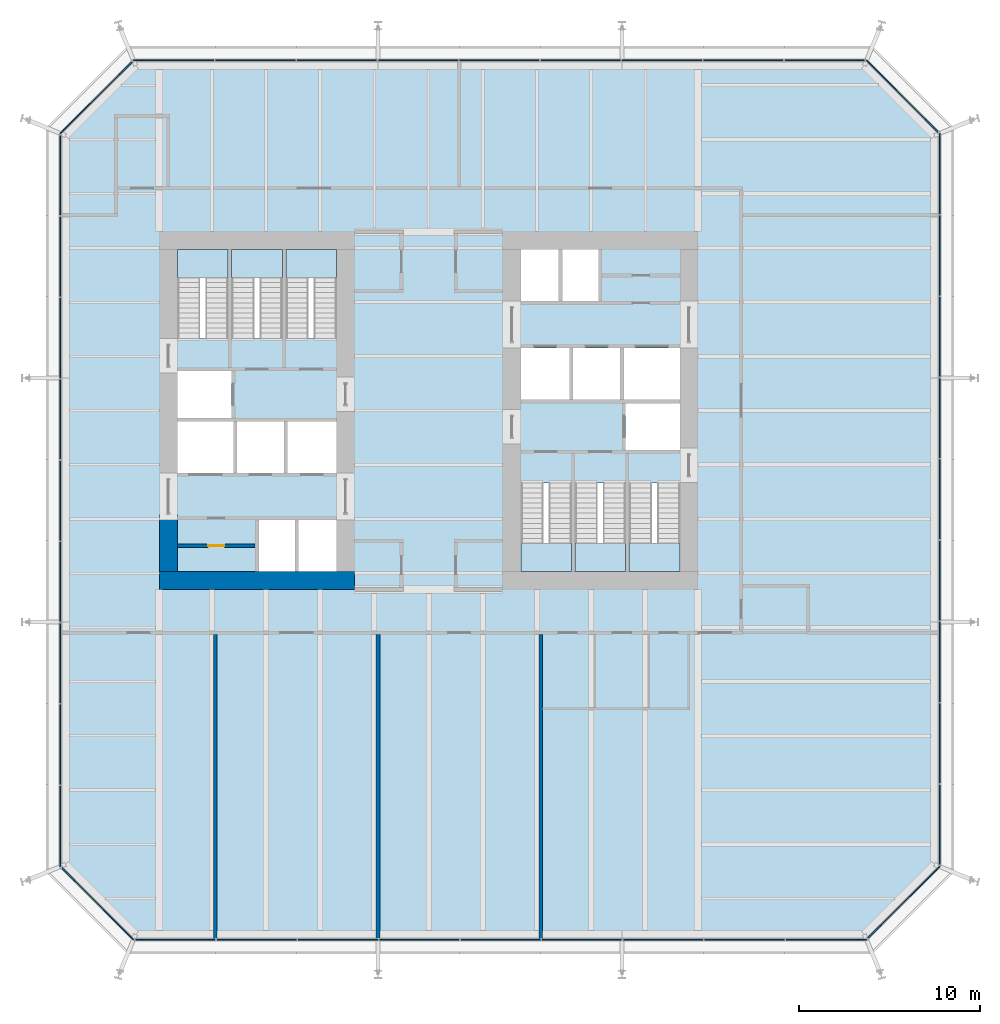
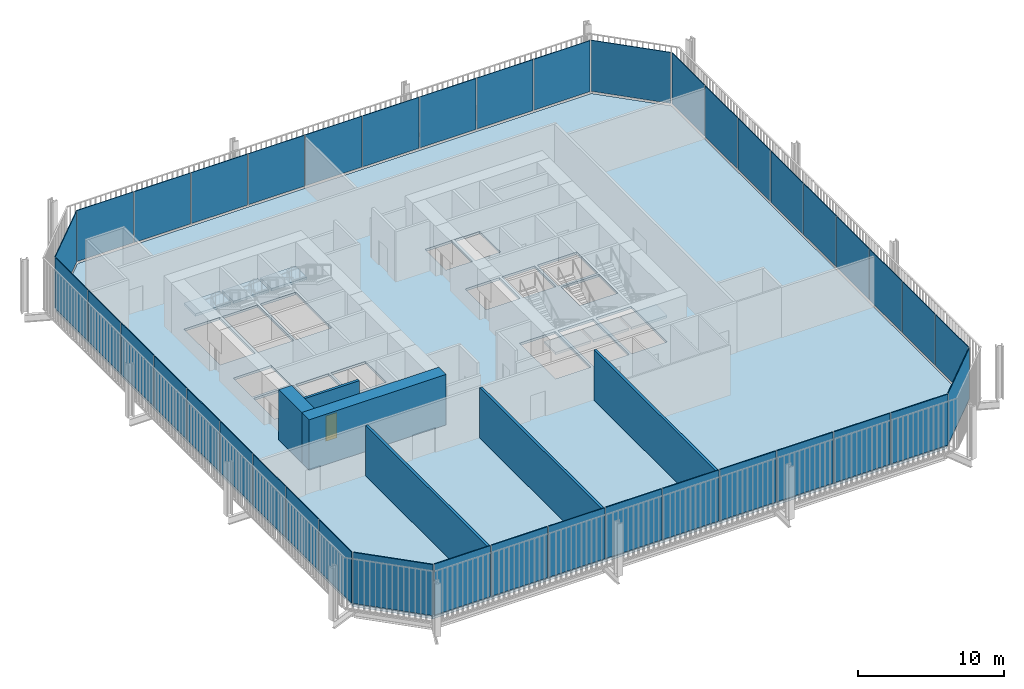
# One storey, part 15 of 20: 40 plates, 7 slabs, 6 walls, 1 door, 1 opening, 14 elements without a shape of their own.
"""IFC4 building model written with IfcOpenShell, lengths in metres."""

from ifc_helpers import new_model, si_unit, direction, frame, frame_2d, origin, place, context, subcontext, project, spatial, polyline, rectangle, outline, extrude, material, layer, layer_set, type_object, element, fill, aggregate, save


model = new_model("IFC4")

# Units and contexts
model_context = context("Model", 3, precision=1e-05, world=origin(), true_north=direction((0.0, 1.0)))
body_context = subcontext(model_context, "Body", "Model", "MODEL_VIEW")
ifc_project = project(units=[si_unit("LENGTHUNIT", "METRE"), si_unit("AREAUNIT", "SQUARE_METRE"), si_unit("VOLUMEUNIT", "CUBIC_METRE"), si_unit("PLANEANGLEUNIT", "RADIAN"), si_unit("MASSUNIT", "GRAM", prefix="KILO")], contexts=[model_context])

# Site, building, storey
site_placement = place(None, origin())
site = spatial("IfcSite", under=ifc_project, at=site_placement, CompositionType="ELEMENT")
building_placement = place(site_placement, origin())
building = spatial("IfcBuilding", under=site, at=building_placement, Name="Millrace Tower", CompositionType="ELEMENT")
storey_placement = place(building_placement, frame((0.0, 0.0, 99.60009765625)))
storey = spatial("IfcBuildingStorey", under=building, at=storey_placement, Name="L22", CompositionType="ELEMENT", Elevation=99.60009765625)

# Curtain wall, plate
ifc_material_1 = material(Name="Aluminium and glass", Category="aluminium")
ifc_layer_1 = layer(ifc_material_1, 0.14990234375)
ifc_layer_set_1 = layer_set([ifc_layer_1], Name="Aluminium and glass")
curtain_wall_type = type_object("IfcCurtainWallType", Name="CW-3 telecom floor curtain wall", PredefinedType="NOTDEFINED", material=ifc_layer_set_1)
placement_1 = place(storey_placement, origin())
curtain_wall_1 = element("IfcCurtainWall", 1, at=placement_1, inside=storey, type_object=curtain_wall_type, Name="Curtain wall B-F01 L22", PredefinedType="NOTDEFINED")
ifc_material_2 = material(Name="Glass", Category="glass")
ifc_layer_2 = layer(ifc_material_2, 0.06005859375)
ifc_layer_set_2 = layer_set([ifc_layer_2], Name="Glass")
plate_type = type_object("IfcPlateType", Name="CW-3 telecom floor curtain wall triple-glazed panel with spandrel", PredefinedType="CURTAIN_PANEL", material=ifc_layer_set_2)
placement_2 = place(storey_placement, frame((0.0, 0.0, 0.14990234375)))
plate_1 = element("IfcPlate", 2, at=placement_2, type_object=plate_type, Name="CW3 panel B-F01.1", PredefinedType="CURTAIN_PANEL", context=body_context, shape_type="SweptSolid", body=[
    extrude(outline(polyline([(-20.328369140625, -25.3203125), (-16.343505859375, -29.304931640625), (-16.318603515625, -29.2451171875), (-20.285888671875, -25.27783203125), (-20.328369140625, -25.3203125)])), origin(), (0.0, 0.0, 1.0), 4.25),
])
aggregate(curtain_wall_1, [plate_1])

# Curtain wall, plates
curtain_wall_2 = element("IfcCurtainWall", 3, at=placement_1, inside=storey, type_object=curtain_wall_type, Name="Curtain wall B-F02 L22", PredefinedType="NOTDEFINED")
plate_2 = element("IfcPlate", 4, at=placement_2, type_object=plate_type, Name="CW3 panel B-F02.1", PredefinedType="CURTAIN_PANEL", context=body_context, shape_type="SweptSolid", body=[
    extrude(outline(polyline([(-16.235107421875, -29.304931640625), (-11.800048828125, -29.304931640625), (-11.800048828125, -29.2451171875), (-16.235107421875, -29.2451171875), (-16.235107421875, -29.304931640625)])), origin(), (0.0, 0.0, 1.0), 4.25),
])
plate_3 = element("IfcPlate", 5, at=placement_2, type_object=plate_type, Name="CW3 panel B-F02.2", PredefinedType="CURTAIN_PANEL", context=body_context, shape_type="SweptSolid", body=[
    extrude(outline(polyline([(-11.735107421875, -29.304931640625), (-7.300048828125, -29.304931640625), (-7.300048828125, -29.2451171875), (-11.735107421875, -29.2451171875), (-11.735107421875, -29.304931640625)])), origin(), (0.0, 0.0, 1.0), 4.25),
])
plate_4 = element("IfcPlate", 6, at=placement_2, type_object=plate_type, Name="CW3 panel B-F02.3", PredefinedType="CURTAIN_PANEL", context=body_context, shape_type="SweptSolid", body=[
    extrude(outline(polyline([(-7.235107421875, -29.304931640625), (-2.800048828125, -29.304931640625), (-2.800048828125, -29.2451171875), (-7.235107421875, -29.2451171875), (-7.235107421875, -29.304931640625)])), origin(), (0.0, 0.0, 1.0), 4.25),
])
plate_5 = element("IfcPlate", 7, at=placement_2, type_object=plate_type, Name="CW3 panel B-F02.4", PredefinedType="CURTAIN_PANEL", context=body_context, shape_type="SweptSolid", body=[
    extrude(outline(polyline([(-2.735107421875, -29.304931640625), (1.699951171875, -29.304931640625), (1.699951171875, -29.2451171875), (-2.735107421875, -29.2451171875), (-2.735107421875, -29.304931640625)])), origin(), (0.0, 0.0, 1.0), 4.25),
])
plate_6 = element("IfcPlate", 8, at=placement_2, type_object=plate_type, Name="CW3 panel B-F02.5", PredefinedType="CURTAIN_PANEL", context=body_context, shape_type="SweptSolid", body=[
    extrude(outline(polyline([(1.764892578125, -29.304931640625), (6.199951171875, -29.304931640625), (6.199951171875, -29.2451171875), (1.764892578125, -29.2451171875), (1.764892578125, -29.304931640625)])), origin(), (0.0, 0.0, 1.0), 4.25),
])
plate_7 = element("IfcPlate", 9, at=placement_2, type_object=plate_type, Name="CW3 panel B-F02.6", PredefinedType="CURTAIN_PANEL", context=body_context, shape_type="SweptSolid", body=[
    extrude(outline(polyline([(6.264892578125, -29.304931640625), (10.699951171875, -29.304931640625), (10.699951171875, -29.2451171875), (6.264892578125, -29.2451171875), (6.264892578125, -29.304931640625)])), origin(), (0.0, 0.0, 1.0), 4.25),
])
plate_8 = element("IfcPlate", 10, at=placement_2, type_object=plate_type, Name="CW3 panel B-F02.7", PredefinedType="CURTAIN_PANEL", context=body_context, shape_type="SweptSolid", body=[
    extrude(outline(polyline([(10.764892578125, -29.304931640625), (15.199951171875, -29.304931640625), (15.199951171875, -29.2451171875), (10.764892578125, -29.2451171875), (10.764892578125, -29.304931640625)])), origin(), (0.0, 0.0, 1.0), 4.25),
])
plate_9 = element("IfcPlate", 11, at=placement_2, type_object=plate_type, Name="CW3 panel B-F02.8", PredefinedType="CURTAIN_PANEL", context=body_context, shape_type="SweptSolid", body=[
    extrude(outline(polyline([(15.264892578125, -29.304931640625), (19.699951171875, -29.304931640625), (19.699951171875, -29.2451171875), (15.264892578125, -29.2451171875), (15.264892578125, -29.304931640625)])), origin(), (0.0, 0.0, 1.0), 4.25),
])
plate_10 = element("IfcPlate", 12, at=placement_2, type_object=plate_type, Name="CW3 panel B-F02.9", PredefinedType="CURTAIN_PANEL", context=body_context, shape_type="SweptSolid", body=[
    extrude(outline(polyline([(19.764892578125, -29.304931640625), (24.243408203125, -29.304931640625), (24.21875, -29.2451171875), (19.764892578125, -29.2451171875), (19.764892578125, -29.304931640625)])), origin(), (0.0, 0.0, 1.0), 4.25),
])
aggregate(curtain_wall_2, [plate_2, plate_3, plate_4, plate_5, plate_6, plate_7, plate_8, plate_9, plate_10])

# Curtain wall, plate
curtain_wall_3 = element("IfcCurtainWall", 13, at=placement_1, inside=storey, type_object=curtain_wall_type, Name="Curtain wall B-F03 L22", PredefinedType="NOTDEFINED")
plate_11 = element("IfcPlate", 14, at=placement_2, type_object=plate_type, Name="CW3 panel B-F03.1", PredefinedType="CURTAIN_PANEL", context=body_context, shape_type="SweptSolid", body=[
    extrude(outline(polyline([(24.3203125, -29.228271484375), (28.304931640625, -25.243408203125), (28.2451171875, -25.21875), (24.27783203125, -29.185791015625), (24.3203125, -29.228271484375)])), origin(), (0.0, 0.0, 1.0), 4.25),
])
aggregate(curtain_wall_3, [plate_11])

# Curtain wall, plates
curtain_wall_4 = element("IfcCurtainWall", 15, at=placement_1, inside=storey, type_object=curtain_wall_type, Name="Curtain wall B-F04 L22", PredefinedType="NOTDEFINED")
plate_12 = element("IfcPlate", 16, at=placement_2, type_object=plate_type, Name="CW3 panel B-F04.1", PredefinedType="CURTAIN_PANEL", context=body_context, shape_type="SweptSolid", body=[
    extrude(outline(polyline([(28.304931640625, -25.135009765625), (28.304931640625, -20.699951171875), (28.2451171875, -20.699951171875), (28.2451171875, -25.135009765625), (28.304931640625, -25.135009765625)])), origin(), (0.0, 0.0, 1.0), 4.25),
])
plate_13 = element("IfcPlate", 17, at=placement_2, type_object=plate_type, Name="CW3 panel B-F04.2", PredefinedType="CURTAIN_PANEL", context=body_context, shape_type="SweptSolid", body=[
    extrude(outline(polyline([(28.304931640625, -20.635009765625), (28.304931640625, -16.199951171875), (28.2451171875, -16.199951171875), (28.2451171875, -20.635009765625), (28.304931640625, -20.635009765625)])), origin(), (0.0, 0.0, 1.0), 4.25),
])
plate_14 = element("IfcPlate", 18, at=placement_2, type_object=plate_type, Name="CW3 panel B-F04.3", PredefinedType="CURTAIN_PANEL", context=body_context, shape_type="SweptSolid", body=[
    extrude(outline(polyline([(28.304931640625, -16.135009765625), (28.304931640625, -11.699951171875), (28.2451171875, -11.699951171875), (28.2451171875, -16.135009765625), (28.304931640625, -16.135009765625)])), origin(), (0.0, 0.0, 1.0), 4.25),
])
plate_15 = element("IfcPlate", 19, at=placement_2, type_object=plate_type, Name="CW3 panel B-F04.4", PredefinedType="CURTAIN_PANEL", context=body_context, shape_type="SweptSolid", body=[
    extrude(outline(polyline([(28.304931640625, -11.635009765625), (28.304931640625, -7.199951171875), (28.2451171875, -7.199951171875), (28.2451171875, -11.635009765625), (28.304931640625, -11.635009765625)])), origin(), (0.0, 0.0, 1.0), 4.25),
])
plate_16 = element("IfcPlate", 20, at=placement_2, type_object=plate_type, Name="CW3 panel B-F04.5", PredefinedType="CURTAIN_PANEL", context=body_context, shape_type="SweptSolid", body=[
    extrude(outline(polyline([(28.304931640625, -7.135009765625), (28.304931640625, -2.699951171875), (28.2451171875, -2.699951171875), (28.2451171875, -7.135009765625), (28.304931640625, -7.135009765625)])), origin(), (0.0, 0.0, 1.0), 4.25),
])
plate_17 = element("IfcPlate", 21, at=placement_2, type_object=plate_type, Name="CW3 panel B-F04.6", PredefinedType="CURTAIN_PANEL", context=body_context, shape_type="SweptSolid", body=[
    extrude(outline(polyline([(28.304931640625, -2.635009765625), (28.304931640625, 1.800048828125), (28.2451171875, 1.800048828125), (28.2451171875, -2.635009765625), (28.304931640625, -2.635009765625)])), origin(), (0.0, 0.0, 1.0), 4.25),
])
plate_18 = element("IfcPlate", 22, at=placement_2, type_object=plate_type, Name="CW3 panel B-F04.7", PredefinedType="CURTAIN_PANEL", context=body_context, shape_type="SweptSolid", body=[
    extrude(outline(polyline([(28.304931640625, 1.864990234375), (28.304931640625, 6.300048828125), (28.2451171875, 6.300048828125), (28.2451171875, 1.864990234375), (28.304931640625, 1.864990234375)])), origin(), (0.0, 0.0, 1.0), 4.25),
])
plate_19 = element("IfcPlate", 23, at=placement_2, type_object=plate_type, Name="CW3 panel B-F04.8", PredefinedType="CURTAIN_PANEL", context=body_context, shape_type="SweptSolid", body=[
    extrude(outline(polyline([(28.304931640625, 6.364990234375), (28.304931640625, 10.800048828125), (28.2451171875, 10.800048828125), (28.2451171875, 6.364990234375), (28.304931640625, 6.364990234375)])), origin(), (0.0, 0.0, 1.0), 4.25),
])
plate_20 = element("IfcPlate", 24, at=placement_2, type_object=plate_type, Name="CW3 panel B-F04.9", PredefinedType="CURTAIN_PANEL", context=body_context, shape_type="SweptSolid", body=[
    extrude(outline(polyline([(28.304931640625, 10.864990234375), (28.304931640625, 15.343505859375), (28.2451171875, 15.318603515625), (28.2451171875, 10.864990234375), (28.304931640625, 10.864990234375)])), origin(), (0.0, 0.0, 1.0), 4.25),
])
aggregate(curtain_wall_4, [plate_12, plate_13, plate_14, plate_15, plate_16, plate_17, plate_18, plate_19, plate_20])

# Curtain wall, plate
curtain_wall_5 = element("IfcCurtainWall", 25, at=placement_1, inside=storey, type_object=curtain_wall_type, Name="Curtain wall B-F05 L22", PredefinedType="NOTDEFINED")
plate_21 = element("IfcPlate", 26, at=placement_2, type_object=plate_type, Name="CW3 panel B-F05.1", PredefinedType="CURTAIN_PANEL", context=body_context, shape_type="SweptSolid", body=[
    extrude(outline(polyline([(28.228271484375, 15.420166015625), (24.243408203125, 19.405029296875), (24.21875, 19.344970703125), (28.185791015625, 15.377685546875), (28.228271484375, 15.420166015625)])), origin(), (0.0, 0.0, 1.0), 4.25),
])
aggregate(curtain_wall_5, [plate_21])

# Curtain wall, plates
curtain_wall_6 = element("IfcCurtainWall", 27, at=placement_1, inside=storey, type_object=curtain_wall_type, Name="Curtain wall B-F06 L22", PredefinedType="NOTDEFINED")
plate_22 = element("IfcPlate", 28, at=placement_2, type_object=plate_type, Name="CW3 panel B-F06.1", PredefinedType="CURTAIN_PANEL", context=body_context, shape_type="SweptSolid", body=[
    extrude(outline(polyline([(24.135009765625, 19.405029296875), (19.699951171875, 19.405029296875), (19.699951171875, 19.344970703125), (24.135009765625, 19.344970703125), (24.135009765625, 19.405029296875)])), origin(), (0.0, 0.0, 1.0), 4.25),
])
plate_23 = element("IfcPlate", 29, at=placement_2, type_object=plate_type, Name="CW3 panel B-F06.2", PredefinedType="CURTAIN_PANEL", context=body_context, shape_type="SweptSolid", body=[
    extrude(outline(polyline([(19.635009765625, 19.405029296875), (15.199951171875, 19.405029296875), (15.199951171875, 19.344970703125), (19.635009765625, 19.344970703125), (19.635009765625, 19.405029296875)])), origin(), (0.0, 0.0, 1.0), 4.25),
])
plate_24 = element("IfcPlate", 30, at=placement_2, type_object=plate_type, Name="CW3 panel B-F06.3", PredefinedType="CURTAIN_PANEL", context=body_context, shape_type="SweptSolid", body=[
    extrude(outline(polyline([(15.135009765625, 19.405029296875), (10.699951171875, 19.405029296875), (10.699951171875, 19.344970703125), (15.135009765625, 19.344970703125), (15.135009765625, 19.405029296875)])), origin(), (0.0, 0.0, 1.0), 4.25),
])
plate_25 = element("IfcPlate", 31, at=placement_2, type_object=plate_type, Name="CW3 panel B-F06.4", PredefinedType="CURTAIN_PANEL", context=body_context, shape_type="SweptSolid", body=[
    extrude(outline(polyline([(10.635009765625, 19.405029296875), (6.199951171875, 19.405029296875), (6.199951171875, 19.344970703125), (10.635009765625, 19.344970703125), (10.635009765625, 19.405029296875)])), origin(), (0.0, 0.0, 1.0), 4.25),
])
plate_26 = element("IfcPlate", 32, at=placement_2, type_object=plate_type, Name="CW3 panel B-F06.5", PredefinedType="CURTAIN_PANEL", context=body_context, shape_type="SweptSolid", body=[
    extrude(outline(polyline([(6.135009765625, 19.405029296875), (1.699951171875, 19.405029296875), (1.699951171875, 19.344970703125), (6.135009765625, 19.344970703125), (6.135009765625, 19.405029296875)])), origin(), (0.0, 0.0, 1.0), 4.25),
])
plate_27 = element("IfcPlate", 33, at=placement_2, type_object=plate_type, Name="CW3 panel B-F06.6", PredefinedType="CURTAIN_PANEL", context=body_context, shape_type="SweptSolid", body=[
    extrude(outline(polyline([(1.635009765625, 19.405029296875), (-2.800048828125, 19.405029296875), (-2.800048828125, 19.344970703125), (1.635009765625, 19.344970703125), (1.635009765625, 19.405029296875)])), origin(), (0.0, 0.0, 1.0), 4.25),
])
plate_28 = element("IfcPlate", 34, at=placement_2, type_object=plate_type, Name="CW3 panel B-F06.7", PredefinedType="CURTAIN_PANEL", context=body_context, shape_type="SweptSolid", body=[
    extrude(outline(polyline([(-2.864990234375, 19.405029296875), (-7.300048828125, 19.405029296875), (-7.300048828125, 19.344970703125), (-2.864990234375, 19.344970703125), (-2.864990234375, 19.405029296875)])), origin(), (0.0, 0.0, 1.0), 4.25),
])
plate_29 = element("IfcPlate", 35, at=placement_2, type_object=plate_type, Name="CW3 panel B-F06.8", PredefinedType="CURTAIN_PANEL", context=body_context, shape_type="SweptSolid", body=[
    extrude(outline(polyline([(-7.364990234375, 19.405029296875), (-11.800048828125, 19.405029296875), (-11.800048828125, 19.344970703125), (-7.364990234375, 19.344970703125), (-7.364990234375, 19.405029296875)])), origin(), (0.0, 0.0, 1.0), 4.25),
])
plate_30 = element("IfcPlate", 36, at=placement_2, type_object=plate_type, Name="CW3 panel B-F06.9", PredefinedType="CURTAIN_PANEL", context=body_context, shape_type="SweptSolid", body=[
    extrude(outline(polyline([(-11.864990234375, 19.405029296875), (-16.343505859375, 19.405029296875), (-16.318603515625, 19.344970703125), (-11.864990234375, 19.344970703125), (-11.864990234375, 19.405029296875)])), origin(), (0.0, 0.0, 1.0), 4.25),
])
aggregate(curtain_wall_6, [plate_22, plate_23, plate_24, plate_25, plate_26, plate_27, plate_28, plate_29, plate_30])

# Curtain wall, plate
curtain_wall_7 = element("IfcCurtainWall", 37, at=placement_1, inside=storey, type_object=curtain_wall_type, Name="Curtain wall B-F07 L22", PredefinedType="NOTDEFINED")
plate_31 = element("IfcPlate", 38, at=placement_2, type_object=plate_type, Name="CW3 panel B-F07.1", PredefinedType="CURTAIN_PANEL", context=body_context, shape_type="SweptSolid", body=[
    extrude(outline(polyline([(-16.420166015625, 19.328369140625), (-20.405029296875, 15.343505859375), (-20.344970703125, 15.318603515625), (-16.377685546875, 19.285888671875), (-16.420166015625, 19.328369140625)])), origin(), (0.0, 0.0, 1.0), 4.25),
])
aggregate(curtain_wall_7, [plate_31])

# Curtain wall, plates
curtain_wall_8 = element("IfcCurtainWall", 39, at=placement_1, inside=storey, type_object=curtain_wall_type, Name="Curtain wall B-F08 L22", PredefinedType="NOTDEFINED")
plate_32 = element("IfcPlate", 40, at=placement_2, type_object=plate_type, Name="CW3 panel B-F08.1", PredefinedType="CURTAIN_PANEL", context=body_context, shape_type="SweptSolid", body=[
    extrude(outline(polyline([(-20.405029296875, 15.235107421875), (-20.405029296875, 10.800048828125), (-20.344970703125, 10.800048828125), (-20.344970703125, 15.235107421875), (-20.405029296875, 15.235107421875)])), origin(), (0.0, 0.0, 1.0), 4.25),
])
plate_33 = element("IfcPlate", 41, at=placement_2, type_object=plate_type, Name="CW3 panel B-F08.2", PredefinedType="CURTAIN_PANEL", context=body_context, shape_type="SweptSolid", body=[
    extrude(outline(polyline([(-20.405029296875, 10.735107421875), (-20.405029296875, 6.300048828125), (-20.344970703125, 6.300048828125), (-20.344970703125, 10.735107421875), (-20.405029296875, 10.735107421875)])), origin(), (0.0, 0.0, 1.0), 4.25),
])
plate_34 = element("IfcPlate", 42, at=placement_2, type_object=plate_type, Name="CW3 panel B-F08.3", PredefinedType="CURTAIN_PANEL", context=body_context, shape_type="SweptSolid", body=[
    extrude(outline(polyline([(-20.405029296875, 6.235107421875), (-20.405029296875, 1.800048828125), (-20.344970703125, 1.800048828125), (-20.344970703125, 6.235107421875), (-20.405029296875, 6.235107421875)])), origin(), (0.0, 0.0, 1.0), 4.25),
])
plate_35 = element("IfcPlate", 43, at=placement_2, type_object=plate_type, Name="CW3 panel B-F08.4", PredefinedType="CURTAIN_PANEL", context=body_context, shape_type="SweptSolid", body=[
    extrude(outline(polyline([(-20.405029296875, 1.735107421875), (-20.405029296875, -2.699951171875), (-20.344970703125, -2.699951171875), (-20.344970703125, 1.735107421875), (-20.405029296875, 1.735107421875)])), origin(), (0.0, 0.0, 1.0), 4.25),
])
plate_36 = element("IfcPlate", 44, at=placement_2, type_object=plate_type, Name="CW3 panel B-F08.5", PredefinedType="CURTAIN_PANEL", context=body_context, shape_type="SweptSolid", body=[
    extrude(outline(polyline([(-20.405029296875, -2.764892578125), (-20.405029296875, -7.199951171875), (-20.344970703125, -7.199951171875), (-20.344970703125, -2.764892578125), (-20.405029296875, -2.764892578125)])), origin(), (0.0, 0.0, 1.0), 4.25),
])
plate_37 = element("IfcPlate", 45, at=placement_2, type_object=plate_type, Name="CW3 panel B-F08.6", PredefinedType="CURTAIN_PANEL", context=body_context, shape_type="SweptSolid", body=[
    extrude(outline(polyline([(-20.405029296875, -7.264892578125), (-20.405029296875, -11.699951171875), (-20.344970703125, -11.699951171875), (-20.344970703125, -7.264892578125), (-20.405029296875, -7.264892578125)])), origin(), (0.0, 0.0, 1.0), 4.25),
])
plate_38 = element("IfcPlate", 46, at=placement_2, type_object=plate_type, Name="CW3 panel B-F08.7", PredefinedType="CURTAIN_PANEL", context=body_context, shape_type="SweptSolid", body=[
    extrude(outline(polyline([(-20.405029296875, -11.764892578125), (-20.405029296875, -16.199951171875), (-20.344970703125, -16.199951171875), (-20.344970703125, -11.764892578125), (-20.405029296875, -11.764892578125)])), origin(), (0.0, 0.0, 1.0), 4.25),
])
plate_39 = element("IfcPlate", 47, at=placement_2, type_object=plate_type, Name="CW3 panel B-F08.8", PredefinedType="CURTAIN_PANEL", context=body_context, shape_type="SweptSolid", body=[
    extrude(outline(polyline([(-20.405029296875, -16.264892578125), (-20.405029296875, -20.699951171875), (-20.344970703125, -20.699951171875), (-20.344970703125, -16.264892578125), (-20.405029296875, -16.264892578125)])), origin(), (0.0, 0.0, 1.0), 4.25),
])
plate_40 = element("IfcPlate", 48, at=placement_2, type_object=plate_type, Name="CW3 panel B-F08.9", PredefinedType="CURTAIN_PANEL", context=body_context, shape_type="SweptSolid", body=[
    extrude(outline(polyline([(-20.405029296875, -20.764892578125), (-20.405029296875, -25.243408203125), (-20.344970703125, -25.21875), (-20.344970703125, -20.764892578125), (-20.405029296875, -20.764892578125)])), origin(), (0.0, 0.0, 1.0), 4.25),
])
aggregate(curtain_wall_8, [plate_32, plate_33, plate_34, plate_35, plate_36, plate_37, plate_38, plate_39, plate_40])

# Slab
ifc_material_3 = material(Name="Concrete C35 on steel deck", Category="concrete")
ifc_layer_3 = layer(ifc_material_3, 0.199951171875)
ifc_layer_set_3 = layer_set([ifc_layer_3], Name="Concrete C35 on steel deck")
slab_type_1 = type_object("IfcSlabType", Name="Composite floor slab 200 mm", PredefinedType="FLOOR", material=ifc_layer_set_3)
slab_1_placement = place(storey_placement, frame((0.0, 0.0, -0.2001953125)))
element("IfcSlab", 49, at=slab_1_placement, inside=storey, type_object=slab_type_1, Name="SL-B-L22-S1", PredefinedType="FLOOR", context=body_context, shape_type="SweptSolid", body=[
    extrude(outline(polyline([(-20.300048828125, -25.199951171875), (-16.300048828125, -29.199951171875), (24.199951171875, -29.199951171875), (28.199951171875, -25.199951171875), (28.199951171875, 15.300048828125), (24.199951171875, 19.300048828125), (-16.300048828125, 19.300048828125), (-20.300048828125, 15.300048828125), (-20.300048828125, -25.199951171875)]), holes=[polyline([(-9.39990234375, -8.89990234375), (-7.39990234375, -8.89990234375), (-7.39990234375, -6.050048828125), (-9.39990234375, -6.050048828125), (-9.39990234375, -8.89990234375)]), polyline([(-7.199951171875, -8.89990234375), (-5.10009765625, -8.89990234375), (-5.10009765625, -6.050048828125), (-7.199951171875, -6.050048828125), (-7.199951171875, -8.89990234375)]), polyline([(-13.89990234375, -3.449951171875), (-10.800048828125, -3.449951171875), (-10.800048828125, -0.60009765625), (-13.89990234375, -0.60009765625), (-13.89990234375, -3.449951171875)]), polyline([(-10.60009765625, -3.449951171875), (-8.0, -3.449951171875), (-8.0, -0.60009765625), (-10.60009765625, -0.60009765625), (-10.60009765625, -3.449951171875)]), polyline([(-7.800048828125, -3.449951171875), (-5.10009765625, -3.449951171875), (-5.10009765625, -0.60009765625), (-7.800048828125, -0.60009765625), (-7.800048828125, -3.449951171875)]), polyline([(-13.89990234375, -0.39990234375), (-10.89990234375, -0.39990234375), (-10.89990234375, 2.179931640625), (-13.89990234375, 2.179931640625), (-13.89990234375, -0.39990234375)]), polyline([(-13.89990234375, 4.0), (-11.10009765625, 4.0), (-11.10009765625, 8.89990234375), (-13.89990234375, 8.89990234375), (-13.89990234375, 4.0)]), polyline([(-10.89990234375, 4.0), (-8.10009765625, 4.0), (-8.10009765625, 8.89990234375), (-10.89990234375, 8.89990234375), (-10.89990234375, 4.0)]), polyline([(-7.89990234375, 4.0), (-5.10009765625, 4.0), (-5.10009765625, 8.89990234375), (-7.89990234375, 8.89990234375), (-7.89990234375, 4.0)]), polyline([(7.39990234375, 6.050048828125), (9.39990234375, 6.050048828125), (9.39990234375, 8.89990234375), (7.39990234375, 8.89990234375), (7.39990234375, 6.050048828125)]), polyline([(5.10009765625, 6.050048828125), (7.199951171875, 6.050048828125), (7.199951171875, 8.89990234375), (5.10009765625, 8.89990234375), (5.10009765625, 6.050048828125)]), polyline([(10.800048828125, 0.60009765625), (13.89990234375, 0.60009765625), (13.89990234375, 3.449951171875), (10.800048828125, 3.449951171875), (10.800048828125, 0.60009765625)]), polyline([(8.0, 0.60009765625), (10.60009765625, 0.60009765625), (10.60009765625, 3.449951171875), (8.0, 3.449951171875), (8.0, 0.60009765625)]), polyline([(5.10009765625, 0.60009765625), (7.800048828125, 0.60009765625), (7.800048828125, 3.449951171875), (5.10009765625, 3.449951171875), (5.10009765625, 0.60009765625)]), polyline([(10.89990234375, -2.179931640625), (13.89990234375, -2.179931640625), (13.89990234375, 0.39990234375), (10.89990234375, 0.39990234375), (10.89990234375, -2.179931640625)]), polyline([(11.10009765625, -8.89990234375), (13.89990234375, -8.89990234375), (13.89990234375, -4.0), (11.10009765625, -4.0), (11.10009765625, -8.89990234375)]), polyline([(8.10009765625, -8.89990234375), (10.89990234375, -8.89990234375), (10.89990234375, -4.0), (8.10009765625, -4.0), (8.10009765625, -8.89990234375)]), polyline([(5.10009765625, -8.89990234375), (7.89990234375, -8.89990234375), (7.89990234375, -4.0), (5.10009765625, -4.0), (5.10009765625, -8.89990234375)])]), origin(), (0.0, 0.0, 1.0), 0.2001953125),
])

# Stair, slab
ifc_material_4 = material(Name="Concrete C35", Category="concrete")
stair_type = type_object("IfcStairType", Name="Exit stair", PredefinedType="HALF_TURN_STAIR", material=ifc_material_4)
stair_1 = element("IfcStair", 50, at=placement_1, inside=storey, type_object=stair_type, Name="Stair 1 W L22", PredefinedType="HALF_TURN_STAIR")
ifc_material_5 = material(Name="Concrete C40", Category="concrete")
ifc_layer_4 = layer(ifc_material_5, 0.199951171875)
ifc_layer_set_4 = layer_set([ifc_layer_4], Name="Concrete C40")
slab_type_2 = type_object("IfcSlabType", Name="Stair landing", PredefinedType="LANDING", material=ifc_layer_set_4)
placement_3 = place(storey_placement, frame((0.0, 0.0, 2.0)))
slab_2 = element("IfcSlab", 51, at=placement_3, type_object=slab_type_2, Name="ST12 landing 1", PredefinedType="LANDING", context=body_context, shape_type="SweptSolid", body=[
    extrude(outline(polyline([(-13.89990234375, 7.360107421875), (-11.10009765625, 7.360107421875), (-11.10009765625, 8.89990234375), (-13.89990234375, 8.89990234375), (-13.89990234375, 7.360107421875)])), origin(), (0.0, 0.0, 1.0), 0.199951171875),
])
aggregate(stair_1, [slab_2])

stair_2 = element("IfcStair", 52, at=placement_1, inside=storey, type_object=stair_type, Name="Stair 2 W L22", PredefinedType="HALF_TURN_STAIR")
slab_3 = element("IfcSlab", 53, at=placement_3, type_object=slab_type_2, Name="ST12 landing 1", PredefinedType="LANDING", context=body_context, shape_type="SweptSolid", body=[
    extrude(outline(polyline([(-10.89990234375, 7.360107421875), (-8.10009765625, 7.360107421875), (-8.10009765625, 8.89990234375), (-10.89990234375, 8.89990234375), (-10.89990234375, 7.360107421875)])), origin(), (0.0, 0.0, 1.0), 0.199951171875),
])
aggregate(stair_2, [slab_3])

stair_3 = element("IfcStair", 54, at=placement_1, inside=storey, type_object=stair_type, Name="Stair 3 W L22", PredefinedType="HALF_TURN_STAIR")
slab_4 = element("IfcSlab", 55, at=placement_3, type_object=slab_type_2, Name="ST12 landing 1", PredefinedType="LANDING", context=body_context, shape_type="SweptSolid", body=[
    extrude(outline(polyline([(-7.89990234375, 7.360107421875), (-5.10009765625, 7.360107421875), (-5.10009765625, 8.89990234375), (-7.89990234375, 8.89990234375), (-7.89990234375, 7.360107421875)])), origin(), (0.0, 0.0, 1.0), 0.199951171875),
])
aggregate(stair_3, [slab_4])

stair_4 = element("IfcStair", 56, at=placement_1, inside=storey, type_object=stair_type, Name="Stair 1 E L22", PredefinedType="HALF_TURN_STAIR")
slab_5 = element("IfcSlab", 57, at=placement_3, type_object=slab_type_2, Name="ST12 landing 1", PredefinedType="LANDING", context=body_context, shape_type="SweptSolid", body=[
    extrude(outline(polyline([(11.10009765625, -8.89990234375), (13.89990234375, -8.89990234375), (13.89990234375, -7.360107421875), (11.10009765625, -7.360107421875), (11.10009765625, -8.89990234375)])), origin(), (0.0, 0.0, 1.0), 0.199951171875),
])
aggregate(stair_4, [slab_5])

stair_5 = element("IfcStair", 58, at=placement_1, inside=storey, type_object=stair_type, Name="Stair 2 E L22", PredefinedType="HALF_TURN_STAIR")
slab_6 = element("IfcSlab", 59, at=placement_3, type_object=slab_type_2, Name="ST12 landing 1", PredefinedType="LANDING", context=body_context, shape_type="SweptSolid", body=[
    extrude(outline(polyline([(8.10009765625, -8.89990234375), (10.89990234375, -8.89990234375), (10.89990234375, -7.360107421875), (8.10009765625, -7.360107421875), (8.10009765625, -8.89990234375)])), origin(), (0.0, 0.0, 1.0), 0.199951171875),
])
aggregate(stair_5, [slab_6])

stair_6 = element("IfcStair", 60, at=placement_1, inside=storey, type_object=stair_type, Name="Stair 3 E L22", PredefinedType="HALF_TURN_STAIR")
slab_7 = element("IfcSlab", 61, at=placement_3, type_object=slab_type_2, Name="ST12 landing 1", PredefinedType="LANDING", context=body_context, shape_type="SweptSolid", body=[
    extrude(outline(polyline([(5.10009765625, -8.89990234375), (7.89990234375, -8.89990234375), (7.89990234375, -7.360107421875), (5.10009765625, -7.360107421875), (5.10009765625, -8.89990234375)])), origin(), (0.0, 0.0, 1.0), 0.199951171875),
])
aggregate(stair_6, [slab_7])

# Walls
ifc_material_6 = material(Name="Concrete C80", Category="concrete")
ifc_layer_5 = layer(ifc_material_6, 1.0)
ifc_layer_set_5 = layer_set([ifc_layer_5], Name="Concrete C80")
wall_type_1 = type_object("IfcWallType", Name="Core wall 1000 Concrete C80", PredefinedType="SHEAR", material=ifc_layer_set_5)
wall_1_placement = place(storey_placement, frame((-14.89990234375, -9.39990234375, 0.0), z_axis=(0.0, 0.0, 1.0), x_axis=(1.0, 0.0, 0.0)))
element("IfcWall", 62, at=wall_1_placement, inside=storey, type_object=wall_type_1, Name="Core wall W L22", PredefinedType="SHEAR", context=body_context, shape_type="SweptSolid", body=[
    extrude(rectangle(XDim=10.7998046875, YDim=1.0, at=frame_2d((5.39990234375, 0.0))), origin(), (0.0, 0.0, 1.0), 4.199951171875),
])
wall_2_placement = place(storey_placement, frame((-14.39990234375, -8.89990234375, 0.0), z_axis=(0.0, 0.0, 1.0), x_axis=(0.0, 1.0, 0.0)))
element("IfcWall", 63, at=wall_2_placement, inside=storey, type_object=wall_type_1, Name="Core wall W L22", PredefinedType="SHEAR", context=body_context, shape_type="SweptSolid", body=[
    extrude(rectangle(XDim=3.14990234375, YDim=1.0, at=frame_2d((1.574951171875, 0.0))), origin(), (0.0, 0.0, 1.0), 4.199951171875),
])
ifc_material_7 = material(Name="Masonry partition, fire-rated", Category="masonry")
ifc_layer_6 = layer(ifc_material_7, 0.199951171875)
ifc_layer_set_6 = layer_set([ifc_layer_6], Name="Masonry partition, fire-rated")
wall_type_2 = type_object("IfcWallType", Name="Corridor wall 200", PredefinedType="PARTITIONING", material=ifc_layer_set_6)
for number, where, z_axis, x_axis, name in (
    (64, (6.199951171875, -29.22998046875, 0.0), (0.0, 0.0, 1.0), (0.0, 1.0, 0.0), "Corridor wall L22"),
    (65, (-2.800048828125, -29.22998046875, 0.0), (0.0, 0.0, 1.0), (0.0, 1.0, 0.0), "Corridor wall L22"),
    (66, (-11.800048828125, -29.22998046875, 0.0), (0.0, 0.0, 1.0), (0.0, 1.0, 0.0), "Corridor wall L22"),
):
    element("IfcWall", number, at=place(storey_placement, frame(where, z_axis=z_axis, x_axis=x_axis)), inside=storey, type_object=wall_type_2, Name=name, PredefinedType="PARTITIONING", context=body_context, shape_type="SweptSolid", body=[
        extrude(rectangle(XDim=16.830078125, YDim=0.199951171875, at=frame_2d((8.4150390625, 0.0))), origin(), (0.0, 0.0, 1.0), 4.199951171875),
    ])

# Wall, opening, door
ifc_material_8 = material(Name="Masonry partition, fire-rated", Category="masonry")
ifc_layer_7 = layer(ifc_material_8, 0.199951171875)
ifc_layer_set_7 = layer_set([ifc_layer_7], Name="Masonry partition, fire-rated")
wall_type_3 = type_object("IfcWallType", Name="Room partition 200", PredefinedType="PARTITIONING", material=ifc_layer_set_7)
wall_3_placement = place(storey_placement, frame((-13.89990234375, -7.47509765625, 0.0), z_axis=(0.0, 0.0, 1.0), x_axis=(1.0, 0.0, 0.0)))
wall_3 = element("IfcWall", 67, at=wall_3_placement, inside=storey, type_object=wall_type_3, Name="Room partition W L22", PredefinedType="PARTITIONING", context=body_context, shape_type="SweptSolid", body=[
    extrude(rectangle(XDim=4.2998046875, YDim=0.199951171875, at=frame_2d((2.14990234375, 0.0))), origin(), (0.0, 0.0, 1.0), 4.199951171875),
])
opening_placement = place(wall_3_placement, frame((1.699951171875, 0.0, 0.0)))
opening = element("IfcOpeningElement", 68, at=opening_placement, cuts=wall_3, Name="Opening 22-C006", PredefinedType="OPENING", context=body_context, shape_type="SweptSolid", body=[
    extrude(rectangle(XDim=0.89990234375, YDim=2.10009765625, at=frame_2d((0.449951171875, 1.050048828125))), frame((0.0, 0.10986328125, 0.0), z_axis=(0.0, -1.0, 0.0), x_axis=(1.0, 0.0, 0.0)), (0.0, 0.0, 1.0), 0.219970703125),
])
ifc_material_9 = material(Name="Steel door, fire-rated", Category="steel")
door_type = type_object("IfcDoorType", Name="Service room door 900 x 2100", OperationType="SINGLE_SWING_LEFT", PredefinedType="DOOR", material=ifc_material_9)
door_placement = place(opening_placement, frame((0.89990234375, 0.0, 0.0), z_axis=(0.0, 0.0, 1.0), x_axis=(-1.0, 0.0, 0.0)))
door = element("IfcDoor", 69, at=door_placement, inside=storey, type_object=door_type, Name="Service room door 22-C006", OperationType="SINGLE_SWING_LEFT", OverallHeight=2.10009765625, OverallWidth=0.89990234375, PredefinedType="DOOR", context=body_context, shape_type="SweptSolid", body=[
    extrude(rectangle(XDim=0.89990234375, YDim=2.10009765625, at=frame_2d((0.449951171875, 1.050048828125))), frame((0.0, 0.02490234375, 0.0), z_axis=(0.0, -1.0, 0.0), x_axis=(1.0, 0.0, 0.0)), (0.0, 0.0, 1.0), 0.050048828125),
])
fill(opening, door)

save(model, "model.ifc")
